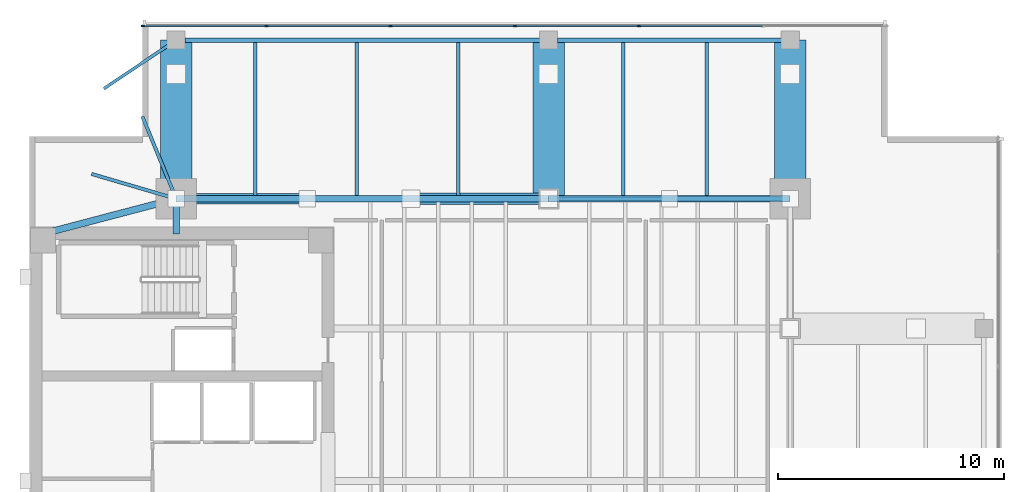
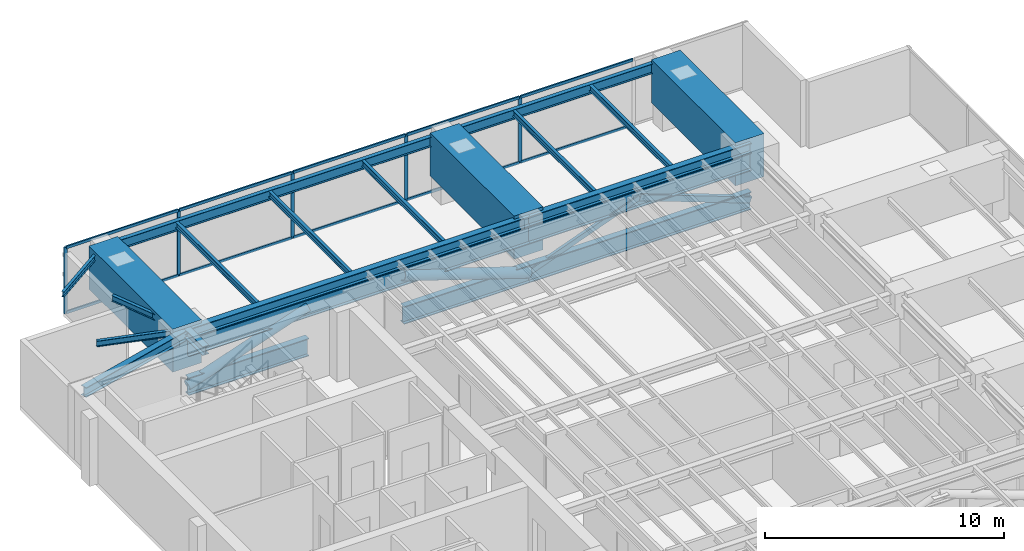
# One storey, part 5 of 13: 24 members, 17 beams, 1 element without a shape of its own.
"""IFC4 building model written with IfcOpenShell, lengths in metres."""

from ifc_helpers import new_model, si_unit, direction, frame, origin, origin_2d, place, context, subcontext, project, spatial, rectangle, hollow_rectangle, hollow_circle, i_section, extrude, material, layer, layer_set, material_profile, profile_set, type_object, element, aggregate, save


model = new_model("IFC4")

# Units and contexts
model_context = context("Model", 3, precision=1e-05, world=origin(), true_north=direction((0.0, 1.0)))
body_context = subcontext(model_context, "Body", "Model", "MODEL_VIEW")
ifc_project = project(units=[si_unit("LENGTHUNIT", "METRE"), si_unit("AREAUNIT", "SQUARE_METRE"), si_unit("VOLUMEUNIT", "CUBIC_METRE"), si_unit("PLANEANGLEUNIT", "RADIAN"), si_unit("MASSUNIT", "GRAM", prefix="KILO")], contexts=[model_context])

# Site, building, storey
site_placement = place(None, origin())
site = spatial("IfcSite", under=ifc_project, at=site_placement, CompositionType="ELEMENT")
building_placement = place(site_placement, origin())
building = spatial("IfcBuilding", under=site, at=building_placement, Name="Kinhvarn Gate Tower", CompositionType="ELEMENT")
storey_placement = place(building_placement, frame((0.0, 0.0, 241.300048828125)))
storey = spatial("IfcBuildingStorey", under=building, at=storey_placement, Name="L64", CompositionType="ELEMENT", Elevation=241.300048828125)

# Beams
ifc_material_1 = material(Name="Concrete C60/75", Category="concrete")
ifc_material_profile_1 = material_profile(ifc_material_1, rectangle(XDim=1.39990234375, YDim=2.199951171875, at=origin_2d()), Name="RC 1400x2200")
ifc_profile_set_1 = profile_set([ifc_material_profile_1], Name="Concrete C60/75")
beam_type_1 = type_object("IfcBeamType", Name="BM-TG-2200", PredefinedType="BEAM", material=ifc_profile_set_1)
for number, where, z_axis, x_axis, name in (
    (1, (11.0, 37.75, 2.449951171875), (0.0, 1.0, 0.0), (-1.0, 0.0, 0.0), "Setback Transfer Girder TG-02-L65-CN-0"),
    (2, (27.5, 37.75, 2.449951171875), (0.0, 1.0, 0.0), (-1.0, 0.0, 0.0), "Setback Transfer Girder TG-02-L65-CN-1"),
    (3, (38.199951171875, 37.75, 2.449951171875), (0.0, 1.0, 0.0), (-1.0, 0.0, 0.0), "Setback Transfer Girder TG-02-L65-CN-2"),
):
    element("IfcBeam", number, at=place(storey_placement, frame(where, z_axis=z_axis, x_axis=x_axis)), inside=storey, type_object=beam_type_1, Name=name, PredefinedType="BEAM", context=body_context, shape_type="SweptSolid", body=[
        extrude(rectangle(XDim=1.39990234375, YDim=2.199951171875, at=origin_2d()), origin(), (0.0, 0.0, 1.0), 7.030029296875),
    ])

# Curtain wall, members
ifc_material_2 = material(Name="Anodised aluminium AW-6063", Category="aluminium")
ifc_layer = layer(ifc_material_2, 0.179931640625)
ifc_layer_set = layer_set([ifc_layer], Name="Anodised aluminium AW-6063")
curtain_wall_type = type_object("IfcCurtainWallType", Name="CW-SYS-3", PredefinedType="NOTDEFINED", material=ifc_layer_set)
curtain_wall_placement = place(storey_placement, origin())
curtain_wall = element("IfcCurtainWall", 4, at=curtain_wall_placement, inside=storey, type_object=curtain_wall_type, Name="Curtain Wall CW3 (L64)", PredefinedType="NOTDEFINED")
ifc_material_profile_2 = material_profile(ifc_material_2, rectangle(XDim=0.06494140625, YDim=0.159912109375, at=origin_2d()), Name="ALU 65x160")
ifc_profile_set_2 = profile_set([ifc_material_profile_2], Name="Anodised aluminium AW-6063")
member_type_1 = type_object("IfcMemberType", Name="CW-MUL-160", PredefinedType="MULLION", material=ifc_profile_set_2)
member_1_placement = place(storey_placement, frame((31.5, 45.409912109375, 0.0), z_axis=(0.0, 0.0, 1.0), x_axis=(0.0, -1.0, 0.0)))
member_1 = element("IfcMember", 5, at=member_1_placement, type_object=member_type_1, Name="CW3 mullion 3", PredefinedType="MULLION", context=body_context, shape_type="SweptSolid", body=[
    extrude(rectangle(XDim=0.06494140625, YDim=0.159912109375, at=origin_2d()), origin(), (0.0, 0.0, 1.0), 3.389892578125),
])
member_2_placement = place(storey_placement, frame((26.0, 45.409912109375, 0.0), z_axis=(0.0, 0.0, 1.0), x_axis=(0.0, -1.0, 0.0)))
member_2 = element("IfcMember", 6, at=member_2_placement, type_object=member_type_1, Name="CW3 mullion 4", PredefinedType="MULLION", context=body_context, shape_type="SweptSolid", body=[
    extrude(rectangle(XDim=0.06494140625, YDim=0.159912109375, at=origin_2d()), origin(), (0.0, 0.0, 1.0), 3.389892578125),
])
member_3_placement = place(storey_placement, frame((20.5, 45.409912109375, 0.0), z_axis=(0.0, 0.0, 1.0), x_axis=(0.0, -1.0, 0.0)))
member_3 = element("IfcMember", 7, at=member_3_placement, type_object=member_type_1, Name="CW3 mullion 5", PredefinedType="MULLION", context=body_context, shape_type="SweptSolid", body=[
    extrude(rectangle(XDim=0.06494140625, YDim=0.159912109375, at=origin_2d()), origin(), (0.0, 0.0, 1.0), 3.389892578125),
])
member_4_placement = place(storey_placement, frame((15.0, 45.409912109375, 0.0), z_axis=(0.0, 0.0, 1.0), x_axis=(0.0, -1.0, 0.0)))
member_4 = element("IfcMember", 8, at=member_4_placement, type_object=member_type_1, Name="CW3 mullion 6", PredefinedType="MULLION", context=body_context, shape_type="SweptSolid", body=[
    extrude(rectangle(XDim=0.06494140625, YDim=0.159912109375, at=origin_2d()), origin(), (0.0, 0.0, 1.0), 3.389892578125),
])
member_5_placement = place(storey_placement, frame((9.532470703125, 45.409912109375, 0.0), z_axis=(0.0, 0.0, 1.0), x_axis=(0.0, -1.0, 0.0)))
member_5 = element("IfcMember", 9, at=member_5_placement, type_object=member_type_1, Name="CW3 mullion 7", PredefinedType="MULLION", context=body_context, shape_type="SweptSolid", body=[
    extrude(rectangle(XDim=0.06494140625, YDim=0.159912109375, at=origin_2d()), origin(), (0.0, 0.0, 1.0), 3.389892578125),
])
ifc_material_profile_3 = material_profile(ifc_material_2, rectangle(XDim=0.070068359375, YDim=0.139892578125, at=origin_2d()), Name="ALU 70x140")
ifc_profile_set_3 = profile_set([ifc_material_profile_3], Name="Anodised aluminium AW-6063")
member_type_2 = type_object("IfcMemberType", Name="CW-TRN-140", PredefinedType="USERDEFINED", material=ifc_profile_set_3)
member_6_placement = place(storey_placement, frame((36.967529296875, 45.409912109375, 0.034912109375), z_axis=(-1.0, 0.0, 0.0), x_axis=(0.0, -1.0, 0.0)))
member_6 = element("IfcMember", 10, at=member_6_placement, type_object=member_type_2, Name="CW3 transom 2.1", ObjectType="TRANSOM", PredefinedType="USERDEFINED", context=body_context, shape_type="SweptSolid", body=[
    extrude(rectangle(XDim=0.070068359375, YDim=0.139892578125, at=origin_2d()), origin(), (0.0, 0.0, 1.0), 5.43505859375),
])
member_7_placement = place(storey_placement, frame((36.967529296875, 45.409912109375, 3.35498046875), z_axis=(-1.0, 0.0, 0.0), x_axis=(0.0, -1.0, 0.0)))
member_7 = element("IfcMember", 11, at=member_7_placement, type_object=member_type_2, Name="CW3 transom 2.2", ObjectType="TRANSOM", PredefinedType="USERDEFINED", context=body_context, shape_type="SweptSolid", body=[
    extrude(rectangle(XDim=0.070068359375, YDim=0.139892578125, at=origin_2d()), origin(), (0.0, 0.0, 1.0), 5.43505859375),
])
member_8_placement = place(storey_placement, frame((31.467529296875, 45.409912109375, 0.034912109375), z_axis=(-1.0, 0.0, 0.0), x_axis=(0.0, -1.0, 0.0)))
member_8 = element("IfcMember", 12, at=member_8_placement, type_object=member_type_2, Name="CW3 transom 3.1", ObjectType="TRANSOM", PredefinedType="USERDEFINED", context=body_context, shape_type="SweptSolid", body=[
    extrude(rectangle(XDim=0.070068359375, YDim=0.139892578125, at=origin_2d()), origin(), (0.0, 0.0, 1.0), 5.43505859375),
])
member_9_placement = place(storey_placement, frame((31.467529296875, 45.409912109375, 3.35498046875), z_axis=(-1.0, 0.0, 0.0), x_axis=(0.0, -1.0, 0.0)))
member_9 = element("IfcMember", 13, at=member_9_placement, type_object=member_type_2, Name="CW3 transom 3.2", ObjectType="TRANSOM", PredefinedType="USERDEFINED", context=body_context, shape_type="SweptSolid", body=[
    extrude(rectangle(XDim=0.070068359375, YDim=0.139892578125, at=origin_2d()), origin(), (0.0, 0.0, 1.0), 5.43505859375),
])
member_10_placement = place(storey_placement, frame((25.967529296875, 45.409912109375, 0.034912109375), z_axis=(-1.0, 0.0, 0.0), x_axis=(0.0, -1.0, 0.0)))
member_10 = element("IfcMember", 14, at=member_10_placement, type_object=member_type_2, Name="CW3 transom 4.1", ObjectType="TRANSOM", PredefinedType="USERDEFINED", context=body_context, shape_type="SweptSolid", body=[
    extrude(rectangle(XDim=0.070068359375, YDim=0.139892578125, at=origin_2d()), origin(), (0.0, 0.0, 1.0), 5.43505859375),
])
member_11_placement = place(storey_placement, frame((25.967529296875, 45.409912109375, 3.35498046875), z_axis=(-1.0, 0.0, 0.0), x_axis=(0.0, -1.0, 0.0)))
member_11 = element("IfcMember", 15, at=member_11_placement, type_object=member_type_2, Name="CW3 transom 4.2", ObjectType="TRANSOM", PredefinedType="USERDEFINED", context=body_context, shape_type="SweptSolid", body=[
    extrude(rectangle(XDim=0.070068359375, YDim=0.139892578125, at=origin_2d()), origin(), (0.0, 0.0, 1.0), 5.43505859375),
])
member_12_placement = place(storey_placement, frame((20.467529296875, 45.409912109375, 0.034912109375), z_axis=(-1.0, 0.0, 0.0), x_axis=(0.0, -1.0, 0.0)))
member_12 = element("IfcMember", 16, at=member_12_placement, type_object=member_type_2, Name="CW3 transom 5.1", ObjectType="TRANSOM", PredefinedType="USERDEFINED", context=body_context, shape_type="SweptSolid", body=[
    extrude(rectangle(XDim=0.070068359375, YDim=0.139892578125, at=origin_2d()), origin(), (0.0, 0.0, 1.0), 5.43505859375),
])
member_13_placement = place(storey_placement, frame((20.467529296875, 45.409912109375, 3.35498046875), z_axis=(-1.0, 0.0, 0.0), x_axis=(0.0, -1.0, 0.0)))
member_13 = element("IfcMember", 17, at=member_13_placement, type_object=member_type_2, Name="CW3 transom 5.2", ObjectType="TRANSOM", PredefinedType="USERDEFINED", context=body_context, shape_type="SweptSolid", body=[
    extrude(rectangle(XDim=0.070068359375, YDim=0.139892578125, at=origin_2d()), origin(), (0.0, 0.0, 1.0), 5.43505859375),
])
member_14_placement = place(storey_placement, frame((14.967529296875, 45.409912109375, 0.034912109375), z_axis=(-1.0, 0.0, 0.0), x_axis=(0.0, -1.0, 0.0)))
member_14 = element("IfcMember", 18, at=member_14_placement, type_object=member_type_2, Name="CW3 transom 6.1", ObjectType="TRANSOM", PredefinedType="USERDEFINED", context=body_context, shape_type="SweptSolid", body=[
    extrude(rectangle(XDim=0.070068359375, YDim=0.139892578125, at=origin_2d()), origin(), (0.0, 0.0, 1.0), 5.402587890625),
])
member_15_placement = place(storey_placement, frame((14.967529296875, 45.409912109375, 3.35498046875), z_axis=(-1.0, 0.0, 0.0), x_axis=(0.0, -1.0, 0.0)))
member_15 = element("IfcMember", 19, at=member_15_placement, type_object=member_type_2, Name="CW3 transom 6.2", ObjectType="TRANSOM", PredefinedType="USERDEFINED", context=body_context, shape_type="SweptSolid", body=[
    extrude(rectangle(XDim=0.070068359375, YDim=0.139892578125, at=origin_2d()), origin(), (0.0, 0.0, 1.0), 5.402587890625),
])
aggregate(curtain_wall, [member_1, member_2, member_3, member_4, member_5, member_6, member_7, member_8, member_9, member_10, member_11, member_12, member_13, member_14, member_15])

# Members
ifc_material_3 = material(Name="Steel S355", Category="steel")
ifc_material_profile_4 = material_profile(ifc_material_3, hollow_circle(Radius=0.228515625, WallThickness=0.02001953125, at=origin_2d()), Name="CHS 457x20")
ifc_profile_set_4 = profile_set([ifc_material_profile_4], Name="Steel S355")
member_type_3 = type_object("IfcMemberType", Name="MBR-CHS457x20", PredefinedType="STRUT", material=ifc_profile_set_4)
member_16_placement = place(storey_placement, frame((11.0, 37.75, 0.449951171875), z_axis=(0.945875775647, 0.0, 0.324528915574), x_axis=(0.0, 1.0, 0.0)))
element("IfcMember", 20, at=member_16_placement, inside=storey, type_object=member_type_3, Name="Outrigger Truss Diagonal SR-15 (CHS 457x20)", PredefinedType="STRUT", context=body_context, shape_type="SweptSolid", body=[
    extrude(hollow_circle(Radius=0.228515625, WallThickness=0.02001953125, at=origin_2d()), origin(), (0.0, 0.0, 1.0), 6.1318359375),
])
ifc_material_profile_5 = material_profile(ifc_material_3, hollow_circle(Radius=0.25390625, WallThickness=0.02490234375, at=origin_2d()), Name="CHS 508x25")
ifc_profile_set_5 = profile_set([ifc_material_profile_5], Name="Steel S355")
member_type_4 = type_object("IfcMemberType", Name="MBR-CHS508x25", PredefinedType="STRUT", material=ifc_profile_set_5)
member_17_placement = place(storey_placement, frame((21.39990234375, 37.75, 2.43994140625), z_axis=(0.950691799601, 0.0, -0.310137231191), x_axis=(0.0, 1.0, 0.0)))
element("IfcMember", 21, at=member_17_placement, inside=storey, type_object=member_type_4, Name="Outrigger Truss Diagonal SR-16 (CHS 508x25)", PredefinedType="STRUT", context=body_context, shape_type="SweptSolid", body=[
    extrude(hollow_circle(Radius=0.25390625, WallThickness=0.02490234375, at=origin_2d()), origin(), (0.0, 0.0, 1.0), 6.41650390625),
])
ifc_material_profile_6 = material_profile(ifc_material_3, hollow_rectangle(XDim=0.14990234375, YDim=0.25, WallThickness=0.011962890625, at=origin_2d()), Name="RHS 250x150x12")
ifc_profile_set_6 = profile_set([ifc_material_profile_6], Name="Steel S355")
member_type_5 = type_object("IfcMemberType", Name="MBR-RHS250x150x12", PredefinedType="BRACE", material=ifc_profile_set_6)
member_18_placement = place(storey_placement, frame((27.5, 37.75, 0.449951171875), z_axis=(0.937264431325, 0.0, 0.348619256171), x_axis=(0.0, 1.0, 0.0)))
element("IfcMember", 22, at=member_18_placement, inside=storey, type_object=member_type_5, Name="Outrigger Truss Diagonal BR-01 (RHS 250x150x12)", PredefinedType="BRACE", context=body_context, shape_type="SweptSolid", body=[
    extrude(hollow_rectangle(XDim=0.14990234375, YDim=0.25, WallThickness=0.011962890625, at=origin_2d()), origin(), (0.0, 0.0, 1.0), 5.708251953125),
])
ifc_material_profile_7 = material_profile(ifc_material_3, hollow_rectangle(XDim=0.199951171875, YDim=0.300048828125, WallThickness=0.011962890625, at=origin_2d()), Name="RHS 300x200x12")
ifc_profile_set_7 = profile_set([ifc_material_profile_7], Name="Steel S355")
member_type_6 = type_object("IfcMemberType", Name="MBR-RHS300x200x12", PredefinedType="BRACE", material=ifc_profile_set_7)
member_19_placement = place(storey_placement, frame((32.85009765625, 37.75, 2.43994140625), z_axis=(0.937259232929, 0.0, -0.348633231762), x_axis=(0.0, 1.0, 0.0)))
element("IfcMember", 23, at=member_19_placement, inside=storey, type_object=member_type_6, Name="Outrigger Truss Diagonal BR-02 (RHS 300x200x12)", PredefinedType="BRACE", context=body_context, shape_type="SweptSolid", body=[
    extrude(hollow_rectangle(XDim=0.199951171875, YDim=0.300048828125, WallThickness=0.011962890625, at=origin_2d()), origin(), (0.0, 0.0, 1.0), 5.7080078125),
])

# Beams
ifc_material_profile_8 = material_profile(ifc_material_3, i_section(OverallWidth=0.300048828125, OverallDepth=0.449951171875, WebThickness=0.013916015625, FlangeThickness=0.02587890625, at=origin_2d()), Name="HEB 450")
ifc_profile_set_8 = profile_set([ifc_material_profile_8], Name="Steel S355")
beam_type_2 = type_object("IfcBeamType", Name="STL-HEB450", PredefinedType="BEAM", material=ifc_profile_set_8)
beam_1_placement = place(storey_placement, frame((11.0, 36.199951171875, 3.1650390625), z_axis=(0.0, 1.0, 0.0), x_axis=(-1.0, 0.0, 0.0)))
element("IfcBeam", 24, at=beam_1_placement, inside=storey, type_object=beam_type_2, Name="Floor Beam PG-13 (L64 MCW-CN)", PredefinedType="BEAM", context=body_context, shape_type="SweptSolid", body=[
    extrude(i_section(OverallWidth=0.300048828125, OverallDepth=0.449951171875, WebThickness=0.013916015625, FlangeThickness=0.02587890625, at=origin_2d()), origin(), (0.0, 0.0, 1.0), 1.550048828125),
])
ifc_material_profile_9 = material_profile(ifc_material_3, i_section(OverallWidth=0.300048828125, OverallDepth=0.5, WebThickness=0.014404296875, FlangeThickness=0.028076171875, at=origin_2d()), Name="HEB 500")
ifc_profile_set_9 = profile_set([ifc_material_profile_9], Name="Steel S355")
beam_type_3 = type_object("IfcBeamType", Name="STL-HEB500", PredefinedType="BEAM", material=ifc_profile_set_9)
beam_2_placement = place(storey_placement, frame((11.0, 37.75, 3.139892578125), z_axis=(1.0, 0.0, 0.0), x_axis=(0.0, 1.0, 0.0)))
element("IfcBeam", 25, at=beam_2_placement, inside=storey, type_object=beam_type_3, Name="Floor Beam PG-14 (L64 MG-N1)", PredefinedType="BEAM", context=body_context, shape_type="SweptSolid", body=[
    extrude(i_section(OverallWidth=0.300048828125, OverallDepth=0.5, WebThickness=0.014404296875, FlangeThickness=0.028076171875, at=origin_2d()), origin(), (0.0, 0.0, 1.0), 16.5),
])
beam_3_placement = place(storey_placement, frame((27.5, 37.75, 3.139892578125), z_axis=(1.0, 0.0, 0.0), x_axis=(0.0, 1.0, 0.0)))
element("IfcBeam", 26, at=beam_3_placement, inside=storey, type_object=beam_type_3, Name="Floor Beam PG-14 (L64 MG-N2)", PredefinedType="BEAM", context=body_context, shape_type="SweptSolid", body=[
    extrude(i_section(OverallWidth=0.300048828125, OverallDepth=0.5, WebThickness=0.014404296875, FlangeThickness=0.028076171875, at=origin_2d()), origin(), (0.0, 0.0, 1.0), 10.699951171875),
])
beam_4_placement = place(storey_placement, frame((5.10009765625, 36.199951171875, 3.139892578125), z_axis=(0.967177623957, 0.254101246979, 0.0), x_axis=(-0.254101246979, 0.967177623957, 0.0)))
element("IfcBeam", 27, at=beam_4_placement, inside=storey, type_object=beam_type_3, Name="Floor Beam PG-14 (L64 MG-NW-DIAG)", PredefinedType="BEAM", context=body_context, shape_type="SweptSolid", body=[
    extrude(i_section(OverallWidth=0.300048828125, OverallDepth=0.5, WebThickness=0.014404296875, FlangeThickness=0.028076171875, at=origin_2d()), origin(), (0.0, 0.0, 1.0), 6.10009765625),
])

# Members
ifc_material_profile_10 = material_profile(ifc_material_3, i_section(OverallWidth=0.300048828125, OverallDepth=0.89990234375, WebThickness=0.0185546875, FlangeThickness=0.034912109375, at=origin_2d()), Name="HEB 900")
ifc_profile_set_10 = profile_set([ifc_material_profile_10], Name="Steel S355")
member_type_7 = type_object("IfcMemberType", Name="STL-HEB900", PredefinedType="CHORD", material=ifc_profile_set_10)
member_20_placement = place(storey_placement, frame((11.0, 37.75, 0.449951171875), z_axis=(1.0, 0.0, 0.0), x_axis=(0.0, 1.0, 0.0)))
element("IfcMember", 28, at=member_20_placement, inside=storey, type_object=member_type_7, Name="Outrigger Belt Chord BC-20 (L64 OUT-N1A-BOT)", PredefinedType="CHORD", context=body_context, shape_type="SweptSolid", body=[
    extrude(i_section(OverallWidth=0.300048828125, OverallDepth=0.89990234375, WebThickness=0.0185546875, FlangeThickness=0.034912109375, at=origin_2d()), origin(), (0.0, 0.0, 1.0), 5.800048828125),
])
member_21_placement = place(storey_placement, frame((21.39990234375, 37.75, 0.449951171875), z_axis=(1.0, 0.0, 0.0), x_axis=(0.0, 1.0, 0.0)))
element("IfcMember", 29, at=member_21_placement, inside=storey, type_object=member_type_7, Name="Outrigger Belt Chord BC-20 (L64 OUT-N1B-BOT)", PredefinedType="CHORD", context=body_context, shape_type="SweptSolid", body=[
    extrude(i_section(OverallWidth=0.300048828125, OverallDepth=0.89990234375, WebThickness=0.0185546875, FlangeThickness=0.034912109375, at=origin_2d()), origin(), (0.0, 0.0, 1.0), 6.10009765625),
])
member_22_placement = place(storey_placement, frame((27.5, 37.75, 0.449951171875), z_axis=(1.0, 0.0, 0.0), x_axis=(0.0, 1.0, 0.0)))
element("IfcMember", 30, at=member_22_placement, inside=storey, type_object=member_type_7, Name="Outrigger Belt Chord BC-20 (L64 OUT-N2-BOT)", PredefinedType="CHORD", context=body_context, shape_type="SweptSolid", body=[
    extrude(i_section(OverallWidth=0.300048828125, OverallDepth=0.89990234375, WebThickness=0.0185546875, FlangeThickness=0.034912109375, at=origin_2d()), origin(), (0.0, 0.0, 1.0), 10.699951171875),
])
member_23_placement = place(storey_placement, frame((11.0, 37.75, 2.43994140625), z_axis=(1.0, 0.0, 0.0), x_axis=(0.0, 1.0, 0.0)))
element("IfcMember", 31, at=member_23_placement, inside=storey, type_object=member_type_7, Name="Outrigger Belt Chord BC-20 (L64 OUT-N1-TOP)", PredefinedType="CHORD", context=body_context, shape_type="SweptSolid", body=[
    extrude(i_section(OverallWidth=0.300048828125, OverallDepth=0.89990234375, WebThickness=0.0185546875, FlangeThickness=0.034912109375, at=origin_2d()), origin(), (0.0, 0.0, 1.0), 16.5),
])
member_24_placement = place(storey_placement, frame((27.5, 37.75, 2.43994140625), z_axis=(1.0, 0.0, 0.0), x_axis=(0.0, 1.0, 0.0)))
element("IfcMember", 32, at=member_24_placement, inside=storey, type_object=member_type_7, Name="Outrigger Belt Chord BC-20 (L64 OUT-N2-TOP)", PredefinedType="CHORD", context=body_context, shape_type="SweptSolid", body=[
    extrude(i_section(OverallWidth=0.300048828125, OverallDepth=0.89990234375, WebThickness=0.0185546875, FlangeThickness=0.034912109375, at=origin_2d()), origin(), (0.0, 0.0, 1.0), 10.699951171875),
])

# Beams
ifc_material_profile_11 = material_profile(ifc_material_3, i_section(OverallWidth=0.135009765625, OverallDepth=0.27001953125, WebThickness=0.006591796875, FlangeThickness=0.01025390625, at=origin_2d()), Name="IPE 270")
ifc_profile_set_11 = profile_set([ifc_material_profile_11], Name="Steel S355")
beam_type_4 = type_object("IfcBeamType", Name="STL-IPE270", PredefinedType="JOIST", material=ifc_profile_set_11)
beam_5_placement = place(storey_placement, frame((11.0, 44.780029296875, 3.2548828125), z_axis=(-0.830028071152, -0.557721616131, 0.0), x_axis=(0.557721616131, -0.830028071152, 0.0)))
element("IfcBeam", 33, at=beam_5_placement, inside=storey, type_object=beam_type_4, Name="Floor Joist SB-01 (L64 BAL-B3-L65)", PredefinedType="JOIST", context=body_context, shape_type="SweptSolid", body=[
    extrude(i_section(OverallWidth=0.135009765625, OverallDepth=0.27001953125, WebThickness=0.006591796875, FlangeThickness=0.01025390625, at=origin_2d()), origin(), (0.0, 0.0, 1.0), 3.855224609375),
])
ifc_material_profile_12 = material_profile(ifc_material_3, i_section(OverallWidth=0.14990234375, OverallDepth=0.300048828125, WebThickness=0.007080078125, FlangeThickness=0.0107421875, at=origin_2d()), Name="IPE 300")
ifc_profile_set_12 = profile_set([ifc_material_profile_12], Name="Steel S355")
beam_type_5 = type_object("IfcBeamType", Name="STL-IPE300", PredefinedType="JOIST", material=ifc_profile_set_12)
for number, where, z_axis, x_axis, name in (
    (34, (14.5, 37.89990234375, 3.239990234375), (0.0, 1.0, 0.0), (-1.0, 0.0, 0.0), "Floor Joist SB-02 (L64 JN-X145)"),
    (35, (19.0, 37.89990234375, 3.239990234375), (0.0, 1.0, 0.0), (-1.0, 0.0, 0.0), "Floor Joist SB-02 (L64 JN-X190)"),
    (36, (23.5, 37.89990234375, 3.239990234375), (0.0, 1.0, 0.0), (-1.0, 0.0, 0.0), "Floor Joist SB-02 (L64 JN-X235)"),
    (37, (30.800048828125, 37.89990234375, 3.239990234375), (0.0, 1.0, 0.0), (-1.0, 0.0, 0.0), "Floor Joist SB-02 (L64 JN-X308)"),
    (38, (34.5, 37.89990234375, 3.239990234375), (0.0, 1.0, 0.0), (-1.0, 0.0, 0.0), "Floor Joist SB-02 (L64 JN-X345)"),
):
    element("IfcBeam", number, at=place(storey_placement, frame(where, z_axis=z_axis, x_axis=x_axis)), inside=storey, type_object=beam_type_5, Name=name, PredefinedType="JOIST", context=body_context, shape_type="SweptSolid", body=[
        extrude(i_section(OverallWidth=0.14990234375, OverallDepth=0.300048828125, WebThickness=0.007080078125, FlangeThickness=0.0107421875, at=origin_2d()), origin(), (0.0, 0.0, 1.0), 6.780029296875),
    ])
beam_6_placement = place(storey_placement, frame((11.0, 37.75, 3.239990234375), z_axis=(-0.959562232121, 0.281496576689, 0.0), x_axis=(-0.281496576689, -0.959562232121, 0.0)))
element("IfcBeam", 39, at=beam_6_placement, inside=storey, type_object=beam_type_5, Name="Floor Joist SB-02 (L64 BAL-B1-L65)", PredefinedType="JOIST", context=body_context, shape_type="SweptSolid", body=[
    extrude(i_section(OverallWidth=0.14990234375, OverallDepth=0.300048828125, WebThickness=0.007080078125, FlangeThickness=0.0107421875, at=origin_2d()), origin(), (0.0, 0.0, 1.0), 3.907958984375),
])
beam_7_placement = place(storey_placement, frame((11.0, 37.75, 3.239990234375), z_axis=(-0.380121146178, 0.924936708229, 0.0), x_axis=(-0.924936708229, -0.380121146178, 0.0)))
element("IfcBeam", 40, at=beam_7_placement, inside=storey, type_object=beam_type_5, Name="Floor Joist SB-02 (L64 BAL-B2-L65)", PredefinedType="JOIST", context=body_context, shape_type="SweptSolid", body=[
    extrude(i_section(OverallWidth=0.14990234375, OverallDepth=0.300048828125, WebThickness=0.007080078125, FlangeThickness=0.0107421875, at=origin_2d()), origin(), (0.0, 0.0, 1.0), 3.946044921875),
])
ifc_material_profile_13 = material_profile(ifc_material_3, i_section(OverallWidth=0.199951171875, OverallDepth=0.5, WebThickness=0.01025390625, FlangeThickness=0.01611328125, at=origin_2d()), Name="IPE 500")
ifc_profile_set_13 = profile_set([ifc_material_profile_13], Name="Steel S355")
beam_type_6 = type_object("IfcBeamType", Name="STL-IPE500", PredefinedType="SPANDREL", material=ifc_profile_set_13)
beam_8_placement = place(storey_placement, frame((11.385009765625, 44.780029296875, 3.139892578125), z_axis=(1.0, 0.0, 0.0), x_axis=(0.0, 1.0, 0.0)))
element("IfcBeam", 41, at=beam_8_placement, inside=storey, type_object=beam_type_6, Name="Floor Spandrel SB-07 (L64 SP-N1)", PredefinedType="SPANDREL", context=body_context, shape_type="SweptSolid", body=[
    extrude(i_section(OverallWidth=0.199951171875, OverallDepth=0.5, WebThickness=0.01025390625, FlangeThickness=0.01611328125, at=origin_2d()), origin(), (0.0, 0.0, 1.0), 15.72998046875),
])
beam_9_placement = place(storey_placement, frame((27.885009765625, 44.780029296875, 3.139892578125), z_axis=(1.0, 0.0, 0.0), x_axis=(0.0, 1.0, 0.0)))
element("IfcBeam", 42, at=beam_9_placement, inside=storey, type_object=beam_type_6, Name="Floor Spandrel SB-07 (L64 SP-N2)", PredefinedType="SPANDREL", context=body_context, shape_type="SweptSolid", body=[
    extrude(i_section(OverallWidth=0.199951171875, OverallDepth=0.5, WebThickness=0.01025390625, FlangeThickness=0.01611328125, at=origin_2d()), origin(), (0.0, 0.0, 1.0), 9.929931640625),
])

save(model, "model.ifc")
